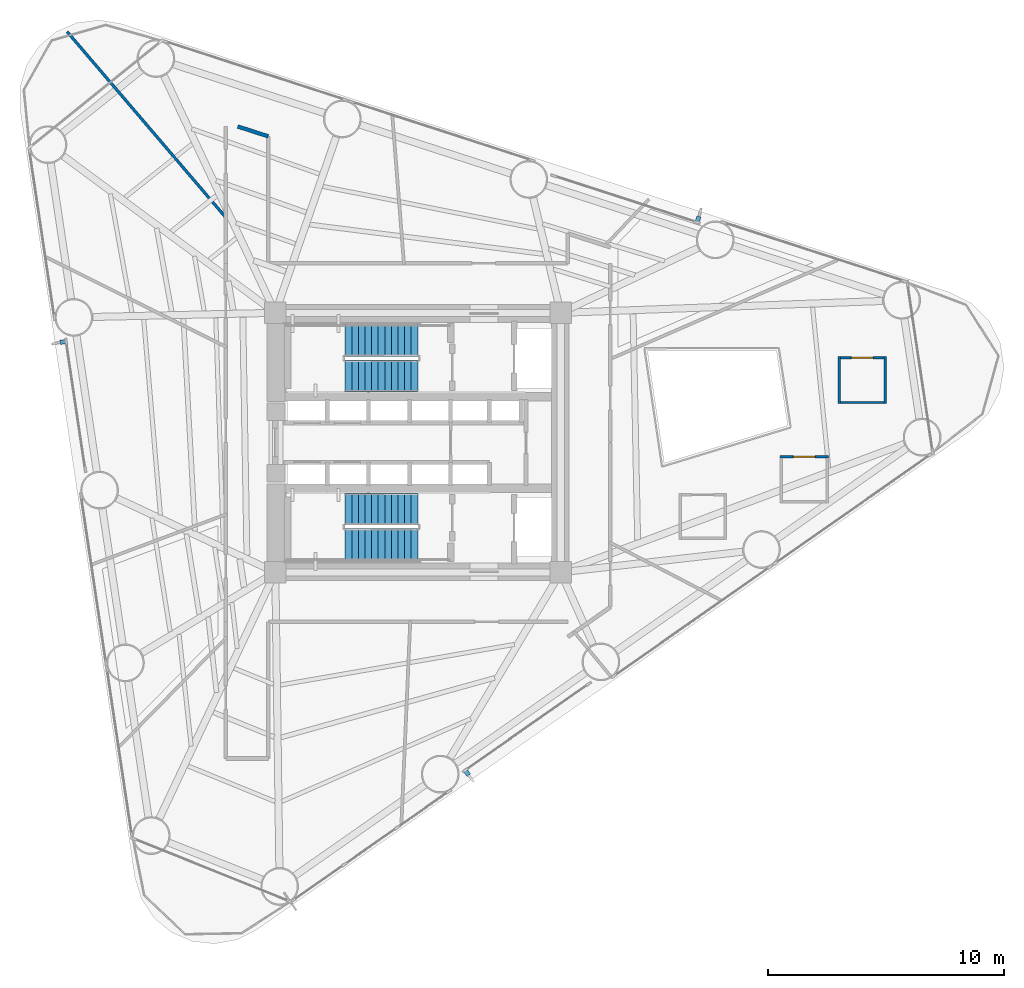
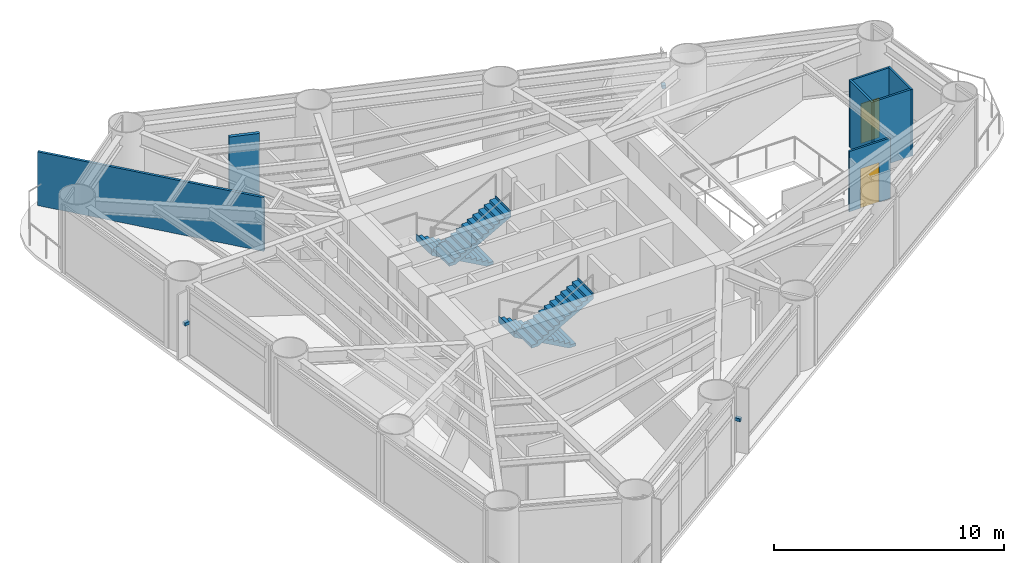
# One storey, part 7 of 9: 7 walls, 4 stair flights, 3 discrete accessories, 2 doors, 2 openings, 2 elements without a shape of their own.
"""IFC4 building model written with IfcOpenShell, lengths in metres."""

from ifc_helpers import new_model, si_unit, direction, frame, frame_2d, origin, origin_2d, place, context, subcontext, project, spatial, polyline, rectangle, outline, extrude, source, transform, mapped, material, layer, layer_set, type_object, element, fill, aggregate, save


model = new_model("IFC4")

# Units and contexts
model_context = context("Model", 3, precision=1e-05, world=origin(), true_north=direction((0.0, 1.0)))
body_context = subcontext(model_context, "Body", "Model", "MODEL_VIEW")
ifc_project = project(units=[si_unit("LENGTHUNIT", "METRE"), si_unit("AREAUNIT", "SQUARE_METRE"), si_unit("VOLUMEUNIT", "CUBIC_METRE"), si_unit("PLANEANGLEUNIT", "RADIAN"), si_unit("MASSUNIT", "GRAM", prefix="KILO")], contexts=[model_context])

# Site, building, storey
site_placement = place(None, origin())
site = spatial("IfcSite", under=ifc_project, at=site_placement, CompositionType="ELEMENT")
building_placement = place(site_placement, origin())
building = spatial("IfcBuilding", under=site, at=building_placement, Name="Yunling Apex Tower", CompositionType="ELEMENT")
storey_placement = place(building_placement, frame((0.0, 0.0, 77.300048828125)))
storey = spatial("IfcBuildingStorey", under=building, at=storey_placement, Name="L20", CompositionType="ELEMENT", Elevation=77.300048828125)

# Walls
ifc_material_1 = material(Name="Gypsum board acoustic partition")
ifc_layer_1 = layer(ifc_material_1, 0.159912109375)
ifc_layer_set_1 = layer_set([ifc_layer_1], Name="Gypsum board acoustic partition")
wall_type_1 = type_object("IfcWallType", Name="WL-PRT-1", PredefinedType="PARTITIONING", material=ifc_layer_set_1)
wall_1_placement = place(storey_placement, frame((-7.64111328125, 13.39990234375, 0.0), z_axis=(0.0, 0.0, 1.0), x_axis=(0.951277022007, -0.308337521884, 0.0)))
element("IfcWall", 1, at=wall_1_placement, inside=storey, type_object=wall_type_1, Name="WL-CORR-L20-05", PredefinedType="PARTITIONING", context=body_context, shape_type="SweptSolid", body=[
    extrude(rectangle(XDim=1.357177734375, YDim=0.159912109375, at=frame_2d((0.6787109375, 0.0))), origin(), (0.0, 0.0, 1.0), 3.544921875),
])
ifc_layer_2 = layer(ifc_material_1, 0.1201171875)
ifc_layer_set_2 = layer_set([ifc_layer_2], Name="Gypsum board acoustic partition")
wall_type_2 = type_object("IfcWallType", Name="WL-PRT-3", PredefinedType="PARTITIONING", material=ifc_layer_set_2)
wall_2_placement = place(storey_placement, frame((-8.110107421875, 9.49560546875, 0.0), z_axis=(0.0, 0.0, 1.0), x_axis=(-0.649436485197, 0.760415841297, 0.0)))
element("IfcWall", 2, at=wall_2_placement, inside=storey, type_object=wall_type_2, Name="WL-RAD-L20-01", PredefinedType="PARTITIONING", context=body_context, shape_type="SweptSolid", body=[
    extrude(rectangle(XDim=10.42529296875, YDim=0.1201171875, at=frame_2d((5.212646484375, 0.0))), origin(), (0.0, 0.0, 1.0), 2.849853515625),
])

# Wall, opening, door
ifc_layer_3 = layer(ifc_material_1, 0.10009765625)
ifc_layer_set_3 = layer_set([ifc_layer_3], Name="Gypsum board acoustic partition")
wall_type_3 = type_object("IfcWallType", Name="WL-PRT-4", PredefinedType="PARTITIONING", material=ifc_layer_set_3)
wall_3_placement = place(storey_placement, frame((15.345947265625, -0.60400390625, 0.0), z_axis=(0.0, 0.0, 1.0), x_axis=(1.0, 0.0, 0.0)))
wall_3 = element("IfcWall", 3, at=wall_3_placement, inside=storey, type_object=wall_type_3, Name="WL-L20-WCMN", PredefinedType="PARTITIONING", context=body_context, shape_type="SweptSolid", body=[
    extrude(rectangle(XDim=2.050048828125, YDim=0.10009765625, at=frame_2d((1.02490234375, 0.0))), origin(), (0.0, 0.0, 1.0), 3.199951171875),
])
opening_1_placement = place(wall_3_placement, frame((0.56494140625, 0.0, 0.0)))
opening_1 = element("IfcOpeningElement", 4, at=opening_1_placement, cuts=wall_3, Name="Opening DR-WC-1", PredefinedType="OPENING", context=body_context, shape_type="SweptSolid", body=[
    extrude(rectangle(XDim=0.919921875, YDim=2.10009765625, at=frame_2d((0.4599609375, 1.050048828125))), frame((0.0, 0.06005859375, 0.0), z_axis=(0.0, -1.0, 0.0), x_axis=(1.0, 0.0, 0.0)), (0.0, 0.0, 1.0), 0.1201171875),
])
ifc_material_2 = material(Name="Timber moisture-resistant leaf", Category="wood")
door_type = type_object("IfcDoorType", Name="DR-WC-1", OperationType="NOTDEFINED", PredefinedType="DOOR", material=ifc_material_2)
door_1_placement = place(opening_1_placement, origin())
door_1 = element("IfcDoor", 5, at=door_1_placement, inside=storey, type_object=door_type, Name="L20 Male Toilet Door", OperationType="SINGLE_SWING_RIGHT", OverallHeight=2.10009765625, OverallWidth=0.919921875, PredefinedType="DOOR", context=body_context, shape_type="SweptSolid", body=[
    extrude(rectangle(XDim=0.919921875, YDim=2.10009765625, at=frame_2d((0.4599609375, 1.050048828125))), frame((0.0, 0.02490234375, 0.0), z_axis=(0.0, -1.0, 0.0), x_axis=(1.0, 0.0, 0.0)), (0.0, 0.0, 1.0), 0.050048828125),
])
fill(opening_1, door_1)

wall_4_placement = place(storey_placement, frame((17.803955078125, 3.59912109375, 0.0), z_axis=(0.0, 0.0, 1.0), x_axis=(1.0, 0.0, 0.0)))
wall_4 = element("IfcWall", 6, at=wall_4_placement, inside=storey, type_object=wall_type_3, Name="WL-L20-WCFN", PredefinedType="PARTITIONING", context=body_context, shape_type="SweptSolid", body=[
    extrude(rectangle(XDim=2.050048828125, YDim=0.10009765625, at=frame_2d((1.02490234375, 0.0))), origin(), (0.0, 0.0, 1.0), 3.544921875),
])
opening_2_placement = place(wall_4_placement, frame((0.56494140625, 0.0, 0.0)))
opening_2 = element("IfcOpeningElement", 7, at=opening_2_placement, cuts=wall_4, Name="Opening DR-WC-1", PredefinedType="OPENING", context=body_context, shape_type="SweptSolid", body=[
    extrude(rectangle(XDim=0.919921875, YDim=2.10009765625, at=frame_2d((0.4599609375, 1.050048828125))), frame((0.0, 0.06005859375, 0.0), z_axis=(0.0, -1.0, 0.0), x_axis=(1.0, 0.0, 0.0)), (0.0, 0.0, 1.0), 0.1201171875),
])
door_2_placement = place(opening_2_placement, origin())
door_2 = element("IfcDoor", 8, at=door_2_placement, inside=storey, type_object=door_type, Name="L20 Female Toilet Door", OperationType="SINGLE_SWING_LEFT", OverallHeight=2.10009765625, OverallWidth=0.919921875, PredefinedType="DOOR", context=body_context, shape_type="SweptSolid", body=[
    extrude(rectangle(XDim=0.919921875, YDim=2.10009765625, at=frame_2d((0.4599609375, 1.050048828125))), frame((0.0, 0.02490234375, 0.0), z_axis=(0.0, -1.0, 0.0), x_axis=(1.0, 0.0, 0.0)), (0.0, 0.0, 1.0), 0.050048828125),
])
fill(opening_2, door_2)

# Walls
wall_5_placement = place(storey_placement, frame((19.85400390625, 1.698974609375, 0.0), z_axis=(0.0, 0.0, 1.0), x_axis=(-1.0, 0.0, 0.0)))
element("IfcWall", 9, at=wall_5_placement, inside=storey, type_object=wall_type_3, Name="WL-L20-WCFS", PredefinedType="PARTITIONING", context=body_context, shape_type="SweptSolid", body=[
    extrude(rectangle(XDim=2.050048828125, YDim=0.10009765625, at=frame_2d((1.02490234375, 0.0))), origin(), (0.0, 0.0, 1.0), 3.544921875),
])
for number, where, z_axis, x_axis, name in (
    (10, (19.803955078125, 3.64892578125, 0.0), (0.0, 0.0, 1.0), (0.0, -1.0, 0.0), "WL-L20-WCFE"),
    (11, (17.85400390625, 1.64892578125, 0.0), (0.0, 0.0, 1.0), (0.0, 1.0, 0.0), "WL-L20-WCFW"),
):
    element("IfcWall", number, at=place(storey_placement, frame(where, z_axis=z_axis, x_axis=x_axis)), inside=storey, type_object=wall_type_3, Name=name, PredefinedType="PARTITIONING", context=body_context, shape_type="SweptSolid", body=[
        extrude(rectangle(XDim=2.0, YDim=0.10009765625, at=frame_2d((1.0, 0.0))), origin(), (0.0, 0.0, 1.0), 3.544921875),
    ])

# Stair, stair flights
ifc_material_3 = material(Name="Concrete C40", Category="concrete")
stair_type = type_object("IfcStairType", Name="ST-TWR-1", PredefinedType="HALF_TURN_STAIR", material=ifc_material_3)
stair_1_placement = place(storey_placement, origin())
stair_1 = element("IfcStair", 12, at=stair_1_placement, inside=storey, type_object=stair_type, Name="L20 North Core Smokeproof Exit Stair ST-1", PredefinedType="HALF_TURN_STAIR")
stair_flight_type = type_object("IfcStairFlightType", Name="SFL-TWR-1", PredefinedType="STRAIGHT", material=ifc_material_3)
stair_flight_1_placement = place(storey_placement, frame((-0.010009765625, 4.330078125, 0.0), z_axis=(0.0, 0.0, 1.0), x_axis=(-1.0, 0.0, 0.0)))
stair_flight_1 = element("IfcStairFlight", 13, at=stair_flight_1_placement, type_object=stair_flight_type, Name="ST-1 flight 1", NumberOfRisers=12, NumberOfTreads=11, PredefinedType="STRAIGHT", RiserHeight=0.15625, TreadLength=0.28, context=body_context, shape_type="SweptSolid", body=[
    extrude(outline(polyline([(-0.011962890625, 0.0), (-0.011962890625, 0.15625), (0.0, 0.15625), (0.280029296875, 0.15625), (0.280029296875, 0.3125), (0.56005859375, 0.3125), (0.56005859375, 0.46875), (0.840087890625, 0.46875), (0.840087890625, 0.625), (1.1201171875, 0.625), (1.1201171875, 0.78125), (1.39990234375, 0.78125), (1.39990234375, 0.9375), (1.679931640625, 0.9375), (1.679931640625, 1.09375), (1.9599609375, 1.09375), (1.9599609375, 1.25), (2.239990234375, 1.25), (2.239990234375, 1.40625), (2.52001953125, 1.40625), (2.52001953125, 1.5625), (2.800048828125, 1.5625), (2.800048828125, 1.71875), (3.080078125, 1.71875), (3.080078125, 1.875), (3.092041015625, 1.875), (3.092041015625, 1.53564453125), (0.328125, 0.0), (-0.011962890625, 0.0)])), frame((0.0, 0.68017578125, 0.0), z_axis=(0.0, -1.0, 0.0), x_axis=(1.0, 0.0, 0.0)), (0.0, 0.0, 1.0), 1.360107421875),
])
stair_flight_2_placement = place(storey_placement, frame((-3.090087890625, 2.820068359375, 1.875), z_axis=(0.0, 0.0, 1.0), x_axis=(1.0, 0.0, 0.0)))
stair_flight_2 = element("IfcStairFlight", 14, at=stair_flight_2_placement, type_object=stair_flight_type, Name="ST-1 flight 2", NumberOfRisers=12, NumberOfTreads=11, PredefinedType="STRAIGHT", RiserHeight=0.15625, TreadLength=0.28, context=body_context, shape_type="SweptSolid", body=[
    extrude(outline(polyline([(-0.011962890625, 0.0), (-0.011962890625, 0.15625), (0.0, 0.15625), (0.280029296875, 0.15625), (0.280029296875, 0.3125), (0.56005859375, 0.3125), (0.56005859375, 0.46875), (0.840087890625, 0.46875), (0.840087890625, 0.625), (1.1201171875, 0.625), (1.1201171875, 0.78125), (1.39990234375, 0.78125), (1.39990234375, 0.9375), (1.679931640625, 0.9375), (1.679931640625, 1.09375), (1.9599609375, 1.09375), (1.9599609375, 1.25), (2.239990234375, 1.25), (2.239990234375, 1.40625), (2.52001953125, 1.40625), (2.52001953125, 1.5625), (2.800048828125, 1.5625), (2.800048828125, 1.71875), (3.080078125, 1.71875), (3.080078125, 1.875), (3.092041015625, 1.875), (3.092041015625, 1.53564453125), (0.328125, 0.0), (-0.011962890625, 0.0)])), frame((0.0, 0.68017578125, 0.0), z_axis=(0.0, -1.0, 0.0), x_axis=(1.0, 0.0, 0.0)), (0.0, 0.0, 1.0), 1.360107421875),
])
aggregate(stair_1, [stair_flight_1, stair_flight_2])

stair_2_placement = place(storey_placement, origin())
stair_2 = element("IfcStair", 15, at=stair_2_placement, inside=storey, type_object=stair_type, Name="L20 South Core Smokeproof Exit Stair ST-2", PredefinedType="HALF_TURN_STAIR")
stair_flight_3_placement = place(storey_placement, frame((-0.010009765625, -2.820068359375, 0.0), z_axis=(0.0, 0.0, 1.0), x_axis=(-1.0, 0.0, 0.0)))
stair_flight_3 = element("IfcStairFlight", 16, at=stair_flight_3_placement, type_object=stair_flight_type, Name="ST-2 flight 1", NumberOfRisers=12, NumberOfTreads=11, PredefinedType="STRAIGHT", RiserHeight=0.15625, TreadLength=0.28, context=body_context, shape_type="SweptSolid", body=[
    extrude(outline(polyline([(-0.011962890625, 0.0), (-0.011962890625, 0.15625), (0.0, 0.15625), (0.280029296875, 0.15625), (0.280029296875, 0.3125), (0.56005859375, 0.3125), (0.56005859375, 0.46875), (0.840087890625, 0.46875), (0.840087890625, 0.625), (1.1201171875, 0.625), (1.1201171875, 0.78125), (1.39990234375, 0.78125), (1.39990234375, 0.9375), (1.679931640625, 0.9375), (1.679931640625, 1.09375), (1.9599609375, 1.09375), (1.9599609375, 1.25), (2.239990234375, 1.25), (2.239990234375, 1.40625), (2.52001953125, 1.40625), (2.52001953125, 1.5625), (2.800048828125, 1.5625), (2.800048828125, 1.71875), (3.080078125, 1.71875), (3.080078125, 1.875), (3.092041015625, 1.875), (3.092041015625, 1.53564453125), (0.328125, 0.0), (-0.011962890625, 0.0)])), frame((0.0, 0.68017578125, 0.0), z_axis=(0.0, -1.0, 0.0), x_axis=(1.0, 0.0, 0.0)), (0.0, 0.0, 1.0), 1.360107421875),
])
stair_flight_4_placement = place(storey_placement, frame((-3.090087890625, -4.330078125, 1.875), z_axis=(0.0, 0.0, 1.0), x_axis=(1.0, 0.0, 0.0)))
stair_flight_4 = element("IfcStairFlight", 17, at=stair_flight_4_placement, type_object=stair_flight_type, Name="ST-2 flight 2", NumberOfRisers=12, NumberOfTreads=11, PredefinedType="STRAIGHT", RiserHeight=0.15625, TreadLength=0.28, context=body_context, shape_type="SweptSolid", body=[
    extrude(outline(polyline([(-0.011962890625, 0.0), (-0.011962890625, 0.15625), (0.0, 0.15625), (0.280029296875, 0.15625), (0.280029296875, 0.3125), (0.56005859375, 0.3125), (0.56005859375, 0.46875), (0.840087890625, 0.46875), (0.840087890625, 0.625), (1.1201171875, 0.625), (1.1201171875, 0.78125), (1.39990234375, 0.78125), (1.39990234375, 0.9375), (1.679931640625, 0.9375), (1.679931640625, 1.09375), (1.9599609375, 1.09375), (1.9599609375, 1.25), (2.239990234375, 1.25), (2.239990234375, 1.40625), (2.52001953125, 1.40625), (2.52001953125, 1.5625), (2.800048828125, 1.5625), (2.800048828125, 1.71875), (3.080078125, 1.71875), (3.080078125, 1.875), (3.092041015625, 1.875), (3.092041015625, 1.53564453125), (0.328125, 0.0), (-0.011962890625, 0.0)])), frame((0.0, 0.68017578125, 0.0), z_axis=(0.0, -1.0, 0.0), x_axis=(1.0, 0.0, 0.0)), (0.0, 0.0, 1.0), 1.360107421875),
])
aggregate(stair_2, [stair_flight_3, stair_flight_4])

# Discrete accessories
ifc_material_4 = material(Name="Steel Q355B", Category="steel")
discrete_accessory_type = type_object("IfcDiscreteAccessoryType", Name="BK-FIN-1", PredefinedType="BRACKET", material=ifc_material_4)
shared_shape = source(origin(), body_context, "Body", "SweptSolid", [
    extrude(rectangle(XDim=0.179931640625, YDim=0.260009765625, at=origin_2d()), origin(), (0.0, 0.0, 1.0), 0.159912109375),
])
for number, where, z_axis, x_axis, name in (
    (18, (2.07421875, -13.998291015625, 1.70263671875), (0.0, 0.0, 1.0), (0.819552276527, 0.573004420611, 0.0), "CW-L20-F1-B2-BRK-01-1"),
    (19, (11.86865234375, 9.462158203125, 1.70263671875), (0.0, 0.0, 1.0), (-0.951272019071, 0.30835295642, 0.0), "CW-L20-F2-B2-BRK-01-1"),
    (20, (-15.0458984375, 4.265380859375, 1.70263671875), (0.0, 0.0, 1.0), (0.14780941113, -0.989015863362, 0.0), "CW-L20-F3-B2-BRK-01-1"),
):
    element("IfcDiscreteAccessory", number, at=place(storey_placement, frame(where, z_axis=z_axis, x_axis=x_axis)), inside=storey, type_object=discrete_accessory_type, Name=name, PredefinedType="BRACKET", context=body_context, shape_type="MappedRepresentation", body=[
        mapped(shared_shape, transform((0.0, 0.0, 0.0), scale=1.0)),
    ])

save(model, "model.ifc")
